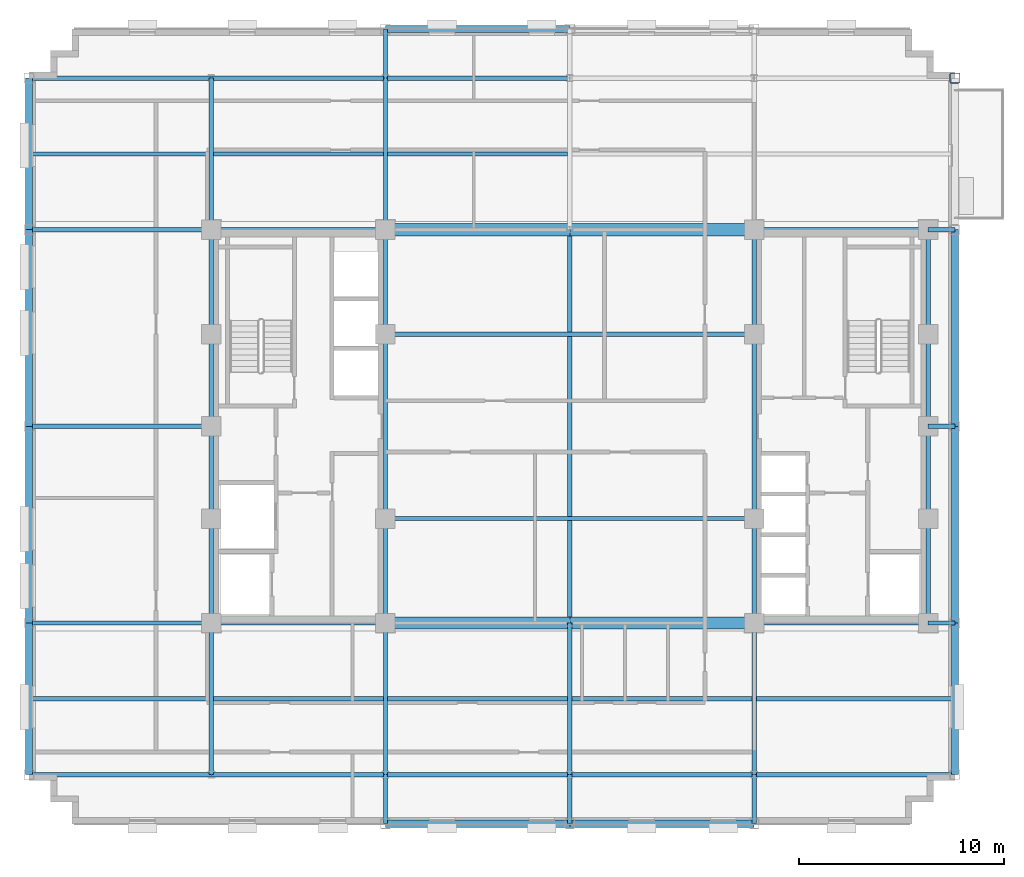
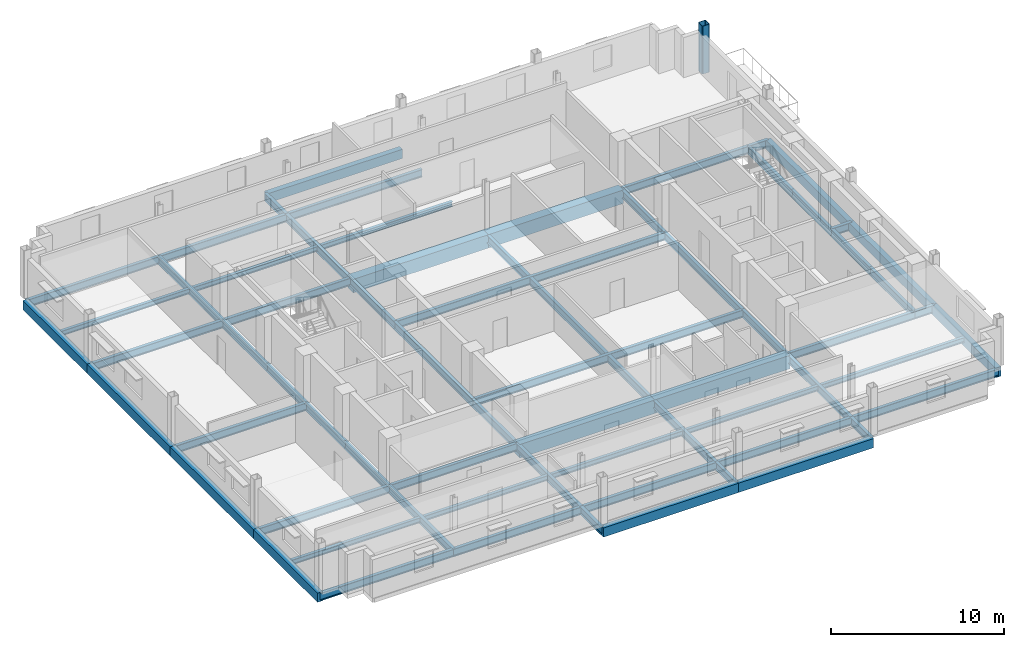
# One storey, part 4 of 13: 67 beams, 1 column.
"""IFC4 building model written with IfcOpenShell, lengths in metres."""

import ifcopenshell
import ifcopenshell.guid

model = None  # the IFC model being written
_history = None  # IfcOwnerHistory: only IFC2X3 demands one
_inside = {}  # id of a spatial element -> (the spatial element, [elements in it])
_under = {}  # id of a project, library or spatial element -> (it, [spatial elements below it])
_declared = {}  # id of a project -> (the project, [libraries it declares])
_typed = {}  # id of a type object -> (the type object, [elements of that type])
_made_of = {}  # id of a material, layer set ... -> (it, [elements and type objects made of it])


def new_model(schema):
    """Start an empty IFC model of exactly this schema.

    Asked for "IFC4X3", IfcOpenShell would pick the latest addendum, in which some entities
    have other attributes; the version numbers below select the first issue.
    IFC2X3 requires an IfcOwnerHistory on every rooted entity: one is made here for all.
    """
    global model, _history
    if schema == "IFC4X3":
        model = ifcopenshell.file(schema_version=(4, 3, 0, 0))
    else:
        model = ifcopenshell.file(schema=schema)
    _inside.clear()
    _under.clear()
    _declared.clear()
    _typed.clear()
    _made_of.clear()
    _history = None
    if model.schema == "IFC2X3":
        org = make("IfcOrganization", Name="unknown")
        user = make(
            "IfcPersonAndOrganization",
            ThePerson=make("IfcPerson", FamilyName="unknown"),
            TheOrganization=org,
        )
        app = make(
            "IfcApplication",
            ApplicationDeveloper=org,
            Version="unknown",
            ApplicationFullName="unknown",
            ApplicationIdentifier="unknown",
        )
        _history = make(
            "IfcOwnerHistory",
            OwningUser=user,
            OwningApplication=app,
            ChangeAction="ADDED",
            CreationDate=0,
        )
    return model


def make(cls, **values):
    """One entity of the class cls with the attributes given. An attribute that is None is left unset."""
    return model.create_entity(
        cls, **{name: value for name, value in values.items() if value is not None}
    )


def rooted(cls, **values):
    """An entity with a GlobalId (a new one), such as an element, a storey or a relation."""
    return make(cls, GlobalId=ifcopenshell.guid.new(), OwnerHistory=_history, **values)


def si_unit(unit_type, name, prefix=None):
    """IfcSIUnit, for example si_unit("LENGTHUNIT", "METRE", prefix="MILLI")."""
    return make("IfcSIUnit", UnitType=unit_type, Prefix=prefix, Name=name)


def assignment(units):
    """IfcUnitAssignment: the units of a project."""
    return None if units is None else make("IfcUnitAssignment", Units=units)


def point(xyz):
    """IfcCartesianPoint."""
    return None if xyz is None else make("IfcCartesianPoint", Coordinates=xyz)


def direction(xyz):
    """IfcDirection."""
    return None if xyz is None else make("IfcDirection", DirectionRatios=xyz)


def frame(location, z_axis=None, x_axis=None):
    """IfcAxis2Placement3D, a coordinate frame: its origin and axes. An axis left out is left unset."""
    return make(
        "IfcAxis2Placement3D",
        Location=point(location),
        Axis=direction(z_axis),
        RefDirection=direction(x_axis),
    )


def frame_2d(location, x_axis=None):
    """IfcAxis2Placement2D, a coordinate frame in the plane: its origin and x axis."""
    return make(
        "IfcAxis2Placement2D", Location=point(location), RefDirection=direction(x_axis)
    )


def origin():
    """The frame at (0, 0, 0) with its axes left unset."""
    return frame((0.0, 0.0, 0.0))


def origin_2d():
    """The frame at (0, 0) in the plane with its x axis left unset."""
    return frame_2d((0.0, 0.0))


def place(relative_to, where):
    """IfcLocalPlacement: puts the frame where relative to a parent placement (None: the world)."""
    return make(
        "IfcLocalPlacement", PlacementRelTo=relative_to, RelativePlacement=where
    )


def context(
    kind, dimensions, precision=None, world=None, true_north=None, identifier=None
):
    """IfcGeometricRepresentationContext, for example the 3D "Model" context."""
    return make(
        "IfcGeometricRepresentationContext",
        ContextIdentifier=identifier,
        ContextType=kind,
        CoordinateSpaceDimension=dimensions,
        Precision=precision,
        WorldCoordinateSystem=world,
        TrueNorth=true_north,
    )


def subcontext(parent, identifier, kind, view, scale=None):
    """IfcGeometricRepresentationSubContext, for example "Body" below "Model"."""
    return make(
        "IfcGeometricRepresentationSubContext",
        ContextIdentifier=identifier,
        ContextType=kind,
        ParentContext=parent,
        TargetScale=scale,
        TargetView=view,
    )


def project(units=None, contexts=None):
    """IfcProject with its units and contexts."""
    return rooted(
        "IfcProject",
        Name="project",
        RepresentationContexts=contexts,
        UnitsInContext=assignment(units),
    )


def spatial(cls, under=None, at=None, **own):
    """A site, building, storey or space (cls), placed at a placement, below another one or the project."""
    s = rooted(cls, ObjectPlacement=at, **own)
    if under is not None:
        _under.setdefault(under.id(), (under, []))[1].append(s)
    return s


def profile(cls, at=None, kind="AREA", **sizes):
    """A parametric profile (cls). Its sizes go by their IFC names, for example OverallWidth=200.0."""
    return make(cls, ProfileType=kind, Position=at, **sizes)


def rectangle(**sizes):
    """IfcRectangleProfileDef."""
    return profile("IfcRectangleProfileDef", **sizes)


def hollow_rectangle(**sizes):
    """IfcRectangleHollowProfileDef."""
    return profile("IfcRectangleHollowProfileDef", **sizes)


def i_section(**sizes):
    """IfcIShapeProfileDef."""
    return profile("IfcIShapeProfileDef", **sizes)


def extrude(swept, where, along, depth):
    """IfcExtrudedAreaSolid: the profile swept, set in the frame where, extruded along a direction by depth."""
    return make(
        "IfcExtrudedAreaSolid",
        SweptArea=swept,
        Position=where,
        ExtrudedDirection=direction(along),
        Depth=depth,
    )


def shape(context_of_items, identifier, shape_type, items):
    """IfcShapeRepresentation: the items that make up one representation, for example the "Body"."""
    return make(
        "IfcShapeRepresentation",
        ContextOfItems=context_of_items,
        RepresentationIdentifier=identifier,
        RepresentationType=shape_type,
        Items=items,
    )


def material(Name=None, Category=None):
    """IfcMaterial."""
    return make("IfcMaterial", Name=Name, Category=Category)


def material_profile(
    of_material, cross_section, Name=None, Category=None, Priority=None
):
    """IfcMaterialProfile: a cross section and its material."""
    return make(
        "IfcMaterialProfile",
        Name=Name,
        Material=of_material,
        Profile=cross_section,
        Priority=Priority,
        Category=Category,
    )


def profile_set(profiles, Name=None, composite=None):
    """IfcMaterialProfileSet."""
    return make(
        "IfcMaterialProfileSet",
        Name=Name,
        MaterialProfiles=profiles,
        CompositeProfile=composite,
    )


def made_of(thing, what):
    """Note that an element or type object is made of a material, layer set ...; save() writes the relation."""
    if what is not None:
        _made_of.setdefault(what.id(), (what, []))[1].append(thing)
    return thing


def type_object(cls, material=None, **own):
    """A type object (cls), such as IfcWallType, which elements share."""
    return made_of(rooted(cls, **own), material)


def element(
    cls,
    number,
    at=None,
    inside=None,
    cuts=None,
    type_object=None,
    material=None,
    context=None,
    identifier="Body",
    shape_type=None,
    held_by="IfcProductDefinitionShape",
    body=None,
    shapes=None,
    **own,
):
    """One element of the class cls, such as IfcWall. Its Tag is "e" and its number.

    at: its placement. inside: the storey or other place that contains it. cuts: it is an
    opening in that element (IfcRelVoidsElement). A single representation is given by context,
    identifier, shape_type and body (its items); several are given by shapes. held_by: the class
    of the entity that holds the representations. save() writes the other relations.
    """
    e = rooted(cls, Tag="e%d" % number, ObjectPlacement=at, **own)
    if body is not None:
        shapes = [shape(context, identifier, shape_type, body)]
    if shapes is not None:
        e.Representation = make(held_by, Representations=shapes)
    if inside is not None:
        _inside.setdefault(inside.id(), (inside, []))[1].append(e)
    if cuts is not None:
        rooted(
            "IfcRelVoidsElement", RelatingBuildingElement=cuts, RelatedOpeningElement=e
        )
    if type_object is not None:
        _typed.setdefault(type_object.id(), (type_object, []))[1].append(e)
    return made_of(e, material)


def aggregate(whole, parts):
    """IfcRelAggregates: a whole, such as a stair, and the parts it consists of."""
    return rooted("IfcRelAggregates", RelatingObject=whole, RelatedObjects=parts)


def save(model, path):
    """Write the relations noted so far, then the file.

    IfcRelAggregates (storeys below a building ...), IfcRelContainedInSpatialStructure (elements
    in a storey), IfcRelDefinesByType, IfcRelAssociatesMaterial and IfcRelDeclares: one each for
    every whole, place, type object, material and project.
    """
    for whole, parts in _under.values():
        aggregate(whole, parts)
    for where, things in _inside.values():
        rooted(
            "IfcRelContainedInSpatialStructure",
            RelatedElements=things,
            RelatingStructure=where,
        )
    for kind, things in _typed.values():
        rooted("IfcRelDefinesByType", RelatedObjects=things, RelatingType=kind)
    for what, things in _made_of.values():
        rooted("IfcRelAssociatesMaterial", RelatedObjects=things, RelatingMaterial=what)
    for by, libraries in _declared.values():
        rooted("IfcRelDeclares", RelatingContext=by, RelatedDefinitions=libraries)
    model.write(path)


model = new_model("IFC4")

# Units and contexts
model_context = context("Model", 3, precision=1e-05, world=origin(), true_north=direction((0.0, 1.0)))
body_context = subcontext(model_context, "Body", "Model", "MODEL_VIEW")
ifc_project = project(units=[si_unit("LENGTHUNIT", "METRE"), si_unit("AREAUNIT", "SQUARE_METRE"), si_unit("VOLUMEUNIT", "CUBIC_METRE"), si_unit("PLANEANGLEUNIT", "RADIAN"), si_unit("MASSUNIT", "GRAM", prefix="KILO")], contexts=[model_context])

# Site, building, storey
site_placement = place(None, origin())
site = spatial("IfcSite", under=ifc_project, at=site_placement, CompositionType="ELEMENT")
building_placement = place(site_placement, origin())
building = spatial("IfcBuilding", under=site, at=building_placement, Name="Nuvemarco Arch Tower", CompositionType="ELEMENT")
storey_placement = place(building_placement, frame((0.0, 0.0, 216.449951171875)))
storey = spatial("IfcBuildingStorey", under=building, at=storey_placement, Name="L57", CompositionType="ELEMENT", Elevation=216.449951171875)

# Column
ifc_material_1 = material(Name="Steel S355", Category="steel")
ifc_material_profile_1 = material_profile(ifc_material_1, hollow_rectangle(XDim=0.5, YDim=0.5, WallThickness=0.031982421875, InnerFilletRadius=0.031982421875, OuterFilletRadius=0.06396484375, at=origin_2d()), Name="SHS500x500x32")
ifc_profile_set_1 = profile_set([ifc_material_profile_1], Name="Steel S355")
column_type = type_object("IfcColumnType", Name="COL-EXO-500", PredefinedType="COLUMN", material=ifc_profile_set_1)
column_placement = place(storey_placement, frame((18.800048828125, 17.0, 0.0), z_axis=(0.0, 0.0, 1.0), x_axis=(1.0, 0.0, 0.0)))
element("IfcColumn", 1, at=column_placement, inside=storey, type_object=column_type, Name="L57 column CX_+18.8_+17.0", PredefinedType="COLUMN", context=body_context, shape_type="SweptSolid", body=[
    extrude(hollow_rectangle(XDim=0.5, YDim=0.5, WallThickness=0.031982421875, InnerFilletRadius=0.031982421875, OuterFilletRadius=0.06396484375, at=origin_2d()), origin(), (0.0, 0.0, 1.0), 3.3701171875),
])

# Beams
ifc_material_2 = material(Name="Concrete C60/75", Category="concrete")
ifc_material_profile_2 = material_profile(ifc_material_2, rectangle(XDim=0.60009765625, YDim=0.949951171875, at=origin_2d()), Name="RC-BM-600x950")
ifc_profile_set_2 = profile_set([ifc_material_profile_2], Name="Concrete C60/75")
beam_type_1 = type_object("IfcBeamType", Name="BM-COUP-RC", PredefinedType="LINTEL", material=ifc_profile_set_2)
for number, where, z_axis, x_axis, name in (
    (2, (-9.0, -9.60009765625, -0.7548828125), (1.0, 0.0, 0.0), (0.0, 1.0, 0.0), "L57 structural beam BGEW_L57_0_-9.6_-9.0"),
    (3, (0.0, -9.60009765625, -0.7548828125), (1.0, 0.0, 0.0), (0.0, 1.0, 0.0), "L57 structural beam BGEW_L57_0_-9.6_+0.0"),
    (4, (-9.0, 9.60009765625, -0.7548828125), (1.0, 0.0, 0.0), (0.0, 1.0, 0.0), "L57 structural beam BGEW_L57_0_+9.6_-9.0"),
    (5, (0.0, 9.60009765625, -0.7548828125), (1.0, 0.0, 0.0), (0.0, 1.0, 0.0), "L57 structural beam BGEW_L57_0_+9.6_+0.0"),
):
    element("IfcBeam", number, at=place(storey_placement, frame(where, z_axis=z_axis, x_axis=x_axis)), inside=storey, type_object=beam_type_1, Name=name, PredefinedType="LINTEL", context=body_context, shape_type="SweptSolid", body=[
        extrude(rectangle(XDim=0.60009765625, YDim=0.949951171875, at=origin_2d()), origin(), (0.0, 0.0, 1.0), 9.0),
    ])
ifc_material_profile_3 = material_profile(ifc_material_1, i_section(OverallWidth=0.2109375, OverallDepth=0.5390625, WebThickness=0.01171875, FlangeThickness=0.018798828125, FilletRadius=0.01611328125, at=origin_2d()), Name="W530x109")
ifc_profile_set_3 = profile_set([ifc_material_profile_3], Name="Steel S355")
beam_type_2 = type_object("IfcBeamType", Name="BM-GIRD-530", PredefinedType="BEAM", material=ifc_profile_set_3)
beam_1_placement = place(storey_placement, frame((-17.5, -17.0, -0.549560546875), z_axis=(0.0, 1.0, 0.0), x_axis=(-1.0, 0.0, 0.0)))
element("IfcBeam", 6, at=beam_1_placement, inside=storey, type_object=beam_type_2, Name="L57 structural beam BGNS_L57_0_-17.5_-17.0", PredefinedType="BEAM", context=body_context, shape_type="SweptSolid", body=[
    extrude(i_section(OverallWidth=0.2109375, OverallDepth=0.5390625, WebThickness=0.01171875, FlangeThickness=0.018798828125, FilletRadius=0.01611328125, at=origin_2d()), origin(), (0.0, 0.0, 1.0), 7.39990234375),
])
beam_2_placement = place(storey_placement, frame((-17.5, -9.60009765625, -0.549560546875), z_axis=(0.0, 1.0, 0.0), x_axis=(-1.0, 0.0, 0.0)))
element("IfcBeam", 7, at=beam_2_placement, inside=storey, type_object=beam_type_2, Name="L57 structural beam BGNS_L57_0_-17.5_-9.6", PredefinedType="BEAM", context=body_context, shape_type="SweptSolid", body=[
    extrude(i_section(OverallWidth=0.2109375, OverallDepth=0.5390625, WebThickness=0.01171875, FlangeThickness=0.018798828125, FilletRadius=0.01611328125, at=origin_2d()), origin(), (0.0, 0.0, 1.0), 5.10009765625),
])
for number, where, z_axis, x_axis, name in (
    (8, (-17.5, -4.5, -0.549560546875), (0.0, 1.0, 0.0), (-1.0, 0.0, 0.0), "L57 structural beam BGNS_L57_0_-17.5_-4.5"),
    (9, (-17.5, 0.0, -0.549560546875), (0.0, 1.0, 0.0), (-1.0, 0.0, 0.0), "L57 structural beam BGNS_L57_0_-17.5_+0.0"),
):
    element("IfcBeam", number, at=place(storey_placement, frame(where, z_axis=z_axis, x_axis=x_axis)), inside=storey, type_object=beam_type_2, Name=name, PredefinedType="BEAM", context=body_context, shape_type="SweptSolid", body=[
        extrude(i_section(OverallWidth=0.2109375, OverallDepth=0.5390625, WebThickness=0.01171875, FlangeThickness=0.018798828125, FilletRadius=0.01611328125, at=origin_2d()), origin(), (0.0, 0.0, 1.0), 4.5),
    ])
beam_3_placement = place(storey_placement, frame((-17.5, 4.5, -0.549560546875), z_axis=(0.0, 1.0, 0.0), x_axis=(-1.0, 0.0, 0.0)))
element("IfcBeam", 10, at=beam_3_placement, inside=storey, type_object=beam_type_2, Name="L57 structural beam BGNS_L57_0_-17.5_+4.5", PredefinedType="BEAM", context=body_context, shape_type="SweptSolid", body=[
    extrude(i_section(OverallWidth=0.2109375, OverallDepth=0.5390625, WebThickness=0.01171875, FlangeThickness=0.018798828125, FilletRadius=0.01611328125, at=origin_2d()), origin(), (0.0, 0.0, 1.0), 5.10009765625),
])
beam_4_placement = place(storey_placement, frame((-17.5, 9.60009765625, -0.549560546875), z_axis=(0.0, 1.0, 0.0), x_axis=(-1.0, 0.0, 0.0)))
element("IfcBeam", 11, at=beam_4_placement, inside=storey, type_object=beam_type_2, Name="L57 structural beam BGNS_L57_0_-17.5_+9.6", PredefinedType="BEAM", context=body_context, shape_type="SweptSolid", body=[
    extrude(i_section(OverallWidth=0.2109375, OverallDepth=0.5390625, WebThickness=0.01171875, FlangeThickness=0.018798828125, FilletRadius=0.01611328125, at=origin_2d()), origin(), (0.0, 0.0, 1.0), 7.39990234375),
])
beam_5_placement = place(storey_placement, frame((-9.0, -19.39990234375, -0.549560546875), z_axis=(0.0, 1.0, 0.0), x_axis=(-1.0, 0.0, 0.0)))
element("IfcBeam", 12, at=beam_5_placement, inside=storey, type_object=beam_type_2, Name="L57 structural beam BGNS_L57_0_-9.0_-19.4", PredefinedType="BEAM", context=body_context, shape_type="SweptSolid", body=[
    extrude(i_section(OverallWidth=0.2109375, OverallDepth=0.5390625, WebThickness=0.01171875, FlangeThickness=0.018798828125, FilletRadius=0.01611328125, at=origin_2d()), origin(), (0.0, 0.0, 1.0), 2.39990234375),
])
beam_6_placement = place(storey_placement, frame((-9.0, -17.0, -0.549560546875), z_axis=(0.0, 1.0, 0.0), x_axis=(-1.0, 0.0, 0.0)))
element("IfcBeam", 13, at=beam_6_placement, inside=storey, type_object=beam_type_2, Name="L57 structural beam BGNS_L57_0_-9.0_-17.0", PredefinedType="BEAM", context=body_context, shape_type="SweptSolid", body=[
    extrude(i_section(OverallWidth=0.2109375, OverallDepth=0.5390625, WebThickness=0.01171875, FlangeThickness=0.018798828125, FilletRadius=0.01611328125, at=origin_2d()), origin(), (0.0, 0.0, 1.0), 7.39990234375),
])
beam_7_placement = place(storey_placement, frame((-9.0, -9.60009765625, -0.549560546875), z_axis=(0.0, 1.0, 0.0), x_axis=(-1.0, 0.0, 0.0)))
element("IfcBeam", 14, at=beam_7_placement, inside=storey, type_object=beam_type_2, Name="L57 structural beam BGNS_L57_0_-9.0_-9.6", PredefinedType="BEAM", context=body_context, shape_type="SweptSolid", body=[
    extrude(i_section(OverallWidth=0.2109375, OverallDepth=0.5390625, WebThickness=0.01171875, FlangeThickness=0.018798828125, FilletRadius=0.01611328125, at=origin_2d()), origin(), (0.0, 0.0, 1.0), 5.10009765625),
])
beam_8_placement = place(storey_placement, frame((-9.0, -4.5, -0.549560546875), z_axis=(0.0, 1.0, 0.0), x_axis=(-1.0, 0.0, 0.0)))
element("IfcBeam", 15, at=beam_8_placement, inside=storey, type_object=beam_type_2, Name="L57 structural beam BGNS_L57_0_-9.0_-4.5", PredefinedType="BEAM", context=body_context, shape_type="SweptSolid", body=[
    extrude(i_section(OverallWidth=0.2109375, OverallDepth=0.5390625, WebThickness=0.01171875, FlangeThickness=0.018798828125, FilletRadius=0.01611328125, at=origin_2d()), origin(), (0.0, 0.0, 1.0), 9.0),
])
beam_9_placement = place(storey_placement, frame((-9.0, 4.5, -0.549560546875), z_axis=(0.0, 1.0, 0.0), x_axis=(-1.0, 0.0, 0.0)))
element("IfcBeam", 16, at=beam_9_placement, inside=storey, type_object=beam_type_2, Name="L57 structural beam BGNS_L57_0_-9.0_+4.5", PredefinedType="BEAM", context=body_context, shape_type="SweptSolid", body=[
    extrude(i_section(OverallWidth=0.2109375, OverallDepth=0.5390625, WebThickness=0.01171875, FlangeThickness=0.018798828125, FilletRadius=0.01611328125, at=origin_2d()), origin(), (0.0, 0.0, 1.0), 5.10009765625),
])
beam_10_placement = place(storey_placement, frame((-9.0, 9.60009765625, -0.549560546875), z_axis=(0.0, 1.0, 0.0), x_axis=(-1.0, 0.0, 0.0)))
element("IfcBeam", 17, at=beam_10_placement, inside=storey, type_object=beam_type_2, Name="L57 structural beam BGNS_L57_0_-9.0_+9.6", PredefinedType="BEAM", context=body_context, shape_type="SweptSolid", body=[
    extrude(i_section(OverallWidth=0.2109375, OverallDepth=0.5390625, WebThickness=0.01171875, FlangeThickness=0.018798828125, FilletRadius=0.01611328125, at=origin_2d()), origin(), (0.0, 0.0, 1.0), 7.39990234375),
])
for number, where, z_axis, x_axis, name in (
    (18, (-9.0, 17.0, -0.549560546875), (0.0, 1.0, 0.0), (-1.0, 0.0, 0.0), "L57 structural beam BGNS_L57_0_-9.0_+17.0"),
    (19, (0.0, -19.39990234375, -0.549560546875), (0.0, 1.0, 0.0), (-1.0, 0.0, 0.0), "L57 structural beam BGNS_L57_0_+0.0_-19.4"),
):
    element("IfcBeam", number, at=place(storey_placement, frame(where, z_axis=z_axis, x_axis=x_axis)), inside=storey, type_object=beam_type_2, Name=name, PredefinedType="BEAM", context=body_context, shape_type="SweptSolid", body=[
        extrude(i_section(OverallWidth=0.2109375, OverallDepth=0.5390625, WebThickness=0.01171875, FlangeThickness=0.018798828125, FilletRadius=0.01611328125, at=origin_2d()), origin(), (0.0, 0.0, 1.0), 2.39990234375),
    ])
beam_11_placement = place(storey_placement, frame((0.0, -17.0, -0.549560546875), z_axis=(0.0, 1.0, 0.0), x_axis=(-1.0, 0.0, 0.0)))
element("IfcBeam", 20, at=beam_11_placement, inside=storey, type_object=beam_type_2, Name="L57 structural beam BGNS_L57_0_+0.0_-17.0", PredefinedType="BEAM", context=body_context, shape_type="SweptSolid", body=[
    extrude(i_section(OverallWidth=0.2109375, OverallDepth=0.5390625, WebThickness=0.01171875, FlangeThickness=0.018798828125, FilletRadius=0.01611328125, at=origin_2d()), origin(), (0.0, 0.0, 1.0), 7.39990234375),
])
beam_12_placement = place(storey_placement, frame((0.0, -9.60009765625, -0.549560546875), z_axis=(0.0, 1.0, 0.0), x_axis=(-1.0, 0.0, 0.0)))
element("IfcBeam", 21, at=beam_12_placement, inside=storey, type_object=beam_type_2, Name="L57 structural beam BGNS_L57_0_+0.0_-9.6", PredefinedType="BEAM", context=body_context, shape_type="SweptSolid", body=[
    extrude(i_section(OverallWidth=0.2109375, OverallDepth=0.5390625, WebThickness=0.01171875, FlangeThickness=0.018798828125, FilletRadius=0.01611328125, at=origin_2d()), origin(), (0.0, 0.0, 1.0), 19.2001953125),
])
beam_13_placement = place(storey_placement, frame((9.0, -19.39990234375, -0.549560546875), z_axis=(0.0, 1.0, 0.0), x_axis=(-1.0, 0.0, 0.0)))
element("IfcBeam", 22, at=beam_13_placement, inside=storey, type_object=beam_type_2, Name="L57 structural beam BGNS_L57_0_+9.0_-19.4", PredefinedType="BEAM", context=body_context, shape_type="SweptSolid", body=[
    extrude(i_section(OverallWidth=0.2109375, OverallDepth=0.5390625, WebThickness=0.01171875, FlangeThickness=0.018798828125, FilletRadius=0.01611328125, at=origin_2d()), origin(), (0.0, 0.0, 1.0), 2.39990234375),
])
beam_14_placement = place(storey_placement, frame((9.0, -17.0, -0.549560546875), z_axis=(0.0, 1.0, 0.0), x_axis=(-1.0, 0.0, 0.0)))
element("IfcBeam", 23, at=beam_14_placement, inside=storey, type_object=beam_type_2, Name="L57 structural beam BGNS_L57_0_+9.0_-17.0", PredefinedType="BEAM", context=body_context, shape_type="SweptSolid", body=[
    extrude(i_section(OverallWidth=0.2109375, OverallDepth=0.5390625, WebThickness=0.01171875, FlangeThickness=0.018798828125, FilletRadius=0.01611328125, at=origin_2d()), origin(), (0.0, 0.0, 1.0), 7.39990234375),
])
beam_15_placement = place(storey_placement, frame((9.0, -9.60009765625, -0.549560546875), z_axis=(0.0, 1.0, 0.0), x_axis=(-1.0, 0.0, 0.0)))
element("IfcBeam", 24, at=beam_15_placement, inside=storey, type_object=beam_type_2, Name="L57 structural beam BGNS_L57_0_+9.0_-9.6", PredefinedType="BEAM", context=body_context, shape_type="SweptSolid", body=[
    extrude(i_section(OverallWidth=0.2109375, OverallDepth=0.5390625, WebThickness=0.01171875, FlangeThickness=0.018798828125, FilletRadius=0.01611328125, at=origin_2d()), origin(), (0.0, 0.0, 1.0), 5.10009765625),
])
beam_16_placement = place(storey_placement, frame((9.0, -4.5, -0.549560546875), z_axis=(0.0, 1.0, 0.0), x_axis=(-1.0, 0.0, 0.0)))
element("IfcBeam", 25, at=beam_16_placement, inside=storey, type_object=beam_type_2, Name="L57 structural beam BGNS_L57_0_+9.0_-4.5", PredefinedType="BEAM", context=body_context, shape_type="SweptSolid", body=[
    extrude(i_section(OverallWidth=0.2109375, OverallDepth=0.5390625, WebThickness=0.01171875, FlangeThickness=0.018798828125, FilletRadius=0.01611328125, at=origin_2d()), origin(), (0.0, 0.0, 1.0), 9.0),
])
for number, where, z_axis, x_axis, name in (
    (26, (9.0, 4.5, -0.549560546875), (0.0, 1.0, 0.0), (-1.0, 0.0, 0.0), "L57 structural beam BGNS_L57_0_+9.0_+4.5"),
    (27, (17.5, -9.60009765625, -0.549560546875), (0.0, 1.0, 0.0), (-1.0, 0.0, 0.0), "L57 structural beam BGNS_L57_0_+17.5_-9.6"),
):
    element("IfcBeam", number, at=place(storey_placement, frame(where, z_axis=z_axis, x_axis=x_axis)), inside=storey, type_object=beam_type_2, Name=name, PredefinedType="BEAM", context=body_context, shape_type="SweptSolid", body=[
        extrude(i_section(OverallWidth=0.2109375, OverallDepth=0.5390625, WebThickness=0.01171875, FlangeThickness=0.018798828125, FilletRadius=0.01611328125, at=origin_2d()), origin(), (0.0, 0.0, 1.0), 5.10009765625),
    ])
for number, where, z_axis, x_axis, name in (
    (28, (17.5, -4.5, -0.549560546875), (0.0, 1.0, 0.0), (-1.0, 0.0, 0.0), "L57 structural beam BGNS_L57_0_+17.5_-4.5"),
    (29, (17.5, 0.0, -0.549560546875), (0.0, 1.0, 0.0), (-1.0, 0.0, 0.0), "L57 structural beam BGNS_L57_0_+17.5_+0.0"),
):
    element("IfcBeam", number, at=place(storey_placement, frame(where, z_axis=z_axis, x_axis=x_axis)), inside=storey, type_object=beam_type_2, Name=name, PredefinedType="BEAM", context=body_context, shape_type="SweptSolid", body=[
        extrude(i_section(OverallWidth=0.2109375, OverallDepth=0.5390625, WebThickness=0.01171875, FlangeThickness=0.018798828125, FilletRadius=0.01611328125, at=origin_2d()), origin(), (0.0, 0.0, 1.0), 4.5),
    ])
beam_17_placement = place(storey_placement, frame((17.5, 4.5, -0.549560546875), z_axis=(0.0, 1.0, 0.0), x_axis=(-1.0, 0.0, 0.0)))
element("IfcBeam", 30, at=beam_17_placement, inside=storey, type_object=beam_type_2, Name="L57 structural beam BGNS_L57_0_+17.5_+4.5", PredefinedType="BEAM", context=body_context, shape_type="SweptSolid", body=[
    extrude(i_section(OverallWidth=0.2109375, OverallDepth=0.5390625, WebThickness=0.01171875, FlangeThickness=0.018798828125, FilletRadius=0.01611328125, at=origin_2d()), origin(), (0.0, 0.0, 1.0), 5.10009765625),
])
beam_18_placement = place(storey_placement, frame((-26.39990234375, -17.0, -0.549560546875), z_axis=(1.0, 0.0, 0.0), x_axis=(0.0, 1.0, 0.0)))
element("IfcBeam", 31, at=beam_18_placement, inside=storey, type_object=beam_type_2, Name="L57 structural beam BGEW_L57_0_-17.0_-26.4", PredefinedType="BEAM", context=body_context, shape_type="SweptSolid", body=[
    extrude(i_section(OverallWidth=0.2109375, OverallDepth=0.5390625, WebThickness=0.01171875, FlangeThickness=0.018798828125, FilletRadius=0.01611328125, at=origin_2d()), origin(), (0.0, 0.0, 1.0), 8.89990234375),
])
beam_19_placement = place(storey_placement, frame((-17.5, -17.0, -0.549560546875), z_axis=(1.0, 0.0, 0.0), x_axis=(0.0, 1.0, 0.0)))
element("IfcBeam", 32, at=beam_19_placement, inside=storey, type_object=beam_type_2, Name="L57 structural beam BGEW_L57_0_-17.0_-17.5", PredefinedType="BEAM", context=body_context, shape_type="SweptSolid", body=[
    extrude(i_section(OverallWidth=0.2109375, OverallDepth=0.5390625, WebThickness=0.01171875, FlangeThickness=0.018798828125, FilletRadius=0.01611328125, at=origin_2d()), origin(), (0.0, 0.0, 1.0), 8.5),
])
for number, where, z_axis, x_axis, name in (
    (33, (-9.0, -17.0, -0.549560546875), (1.0, 0.0, 0.0), (0.0, 1.0, 0.0), "L57 structural beam BGEW_L57_0_-17.0_-9.0"),
    (34, (0.0, -17.0, -0.549560546875), (1.0, 0.0, 0.0), (0.0, 1.0, 0.0), "L57 structural beam BGEW_L57_0_-17.0_+0.0"),
):
    element("IfcBeam", number, at=place(storey_placement, frame(where, z_axis=z_axis, x_axis=x_axis)), inside=storey, type_object=beam_type_2, Name=name, PredefinedType="BEAM", context=body_context, shape_type="SweptSolid", body=[
        extrude(i_section(OverallWidth=0.2109375, OverallDepth=0.5390625, WebThickness=0.01171875, FlangeThickness=0.018798828125, FilletRadius=0.01611328125, at=origin_2d()), origin(), (0.0, 0.0, 1.0), 9.0),
    ])
beam_20_placement = place(storey_placement, frame((9.0, -17.0, -0.549560546875), z_axis=(1.0, 0.0, 0.0), x_axis=(0.0, 1.0, 0.0)))
element("IfcBeam", 35, at=beam_20_placement, inside=storey, type_object=beam_type_2, Name="L57 structural beam BGEW_L57_0_-17.0_+9.0", PredefinedType="BEAM", context=body_context, shape_type="SweptSolid", body=[
    extrude(i_section(OverallWidth=0.2109375, OverallDepth=0.5390625, WebThickness=0.01171875, FlangeThickness=0.018798828125, FilletRadius=0.01611328125, at=origin_2d()), origin(), (0.0, 0.0, 1.0), 9.800048828125),
])
beam_21_placement = place(storey_placement, frame((-26.39990234375, -9.60009765625, -0.549560546875), z_axis=(1.0, 0.0, 0.0), x_axis=(0.0, 1.0, 0.0)))
element("IfcBeam", 36, at=beam_21_placement, inside=storey, type_object=beam_type_2, Name="L57 structural beam BGEW_L57_0_-9.6_-26.4", PredefinedType="BEAM", context=body_context, shape_type="SweptSolid", body=[
    extrude(i_section(OverallWidth=0.2109375, OverallDepth=0.5390625, WebThickness=0.01171875, FlangeThickness=0.018798828125, FilletRadius=0.01611328125, at=origin_2d()), origin(), (0.0, 0.0, 1.0), 8.89990234375),
])
for number, where, z_axis, x_axis, name in (
    (37, (-17.5, -9.60009765625, -0.549560546875), (1.0, 0.0, 0.0), (0.0, 1.0, 0.0), "L57 structural beam BGEW_L57_0_-9.6_-17.5"),
    (38, (9.0, -9.60009765625, -0.549560546875), (1.0, 0.0, 0.0), (0.0, 1.0, 0.0), "L57 structural beam BGEW_L57_0_-9.6_+9.0"),
):
    element("IfcBeam", number, at=place(storey_placement, frame(where, z_axis=z_axis, x_axis=x_axis)), inside=storey, type_object=beam_type_2, Name=name, PredefinedType="BEAM", context=body_context, shape_type="SweptSolid", body=[
        extrude(i_section(OverallWidth=0.2109375, OverallDepth=0.5390625, WebThickness=0.01171875, FlangeThickness=0.018798828125, FilletRadius=0.01611328125, at=origin_2d()), origin(), (0.0, 0.0, 1.0), 8.5),
    ])
beam_22_placement = place(storey_placement, frame((17.5, -9.60009765625, -0.549560546875), z_axis=(1.0, 0.0, 0.0), x_axis=(0.0, 1.0, 0.0)))
element("IfcBeam", 39, at=beam_22_placement, inside=storey, type_object=beam_type_2, Name="L57 structural beam BGEW_L57_0_-9.6_+17.5", PredefinedType="BEAM", context=body_context, shape_type="SweptSolid", body=[
    extrude(i_section(OverallWidth=0.2109375, OverallDepth=0.5390625, WebThickness=0.01171875, FlangeThickness=0.018798828125, FilletRadius=0.01611328125, at=origin_2d()), origin(), (0.0, 0.0, 1.0), 1.300048828125),
])
beam_23_placement = place(storey_placement, frame((-9.0, -4.5, -0.549560546875), z_axis=(1.0, 0.0, 0.0), x_axis=(0.0, 1.0, 0.0)))
element("IfcBeam", 40, at=beam_23_placement, inside=storey, type_object=beam_type_2, Name="L57 structural beam BGEW_L57_0_-4.5_-9.0", PredefinedType="BEAM", context=body_context, shape_type="SweptSolid", body=[
    extrude(i_section(OverallWidth=0.2109375, OverallDepth=0.5390625, WebThickness=0.01171875, FlangeThickness=0.018798828125, FilletRadius=0.01611328125, at=origin_2d()), origin(), (0.0, 0.0, 1.0), 18.0),
])
beam_24_placement = place(storey_placement, frame((-26.39990234375, 0.0, -0.549560546875), z_axis=(1.0, 0.0, 0.0), x_axis=(0.0, 1.0, 0.0)))
element("IfcBeam", 41, at=beam_24_placement, inside=storey, type_object=beam_type_2, Name="L57 structural beam BGEW_L57_0_+0.0_-26.4", PredefinedType="BEAM", context=body_context, shape_type="SweptSolid", body=[
    extrude(i_section(OverallWidth=0.2109375, OverallDepth=0.5390625, WebThickness=0.01171875, FlangeThickness=0.018798828125, FilletRadius=0.01611328125, at=origin_2d()), origin(), (0.0, 0.0, 1.0), 8.89990234375),
])
beam_25_placement = place(storey_placement, frame((17.5, 0.0, -0.549560546875), z_axis=(1.0, 0.0, 0.0), x_axis=(0.0, 1.0, 0.0)))
element("IfcBeam", 42, at=beam_25_placement, inside=storey, type_object=beam_type_2, Name="L57 structural beam BGEW_L57_0_+0.0_+17.5", PredefinedType="BEAM", context=body_context, shape_type="SweptSolid", body=[
    extrude(i_section(OverallWidth=0.2109375, OverallDepth=0.5390625, WebThickness=0.01171875, FlangeThickness=0.018798828125, FilletRadius=0.01611328125, at=origin_2d()), origin(), (0.0, 0.0, 1.0), 1.300048828125),
])
beam_26_placement = place(storey_placement, frame((-9.0, 4.5, -0.549560546875), z_axis=(1.0, 0.0, 0.0), x_axis=(0.0, 1.0, 0.0)))
element("IfcBeam", 43, at=beam_26_placement, inside=storey, type_object=beam_type_2, Name="L57 structural beam BGEW_L57_0_+4.5_-9.0", PredefinedType="BEAM", context=body_context, shape_type="SweptSolid", body=[
    extrude(i_section(OverallWidth=0.2109375, OverallDepth=0.5390625, WebThickness=0.01171875, FlangeThickness=0.018798828125, FilletRadius=0.01611328125, at=origin_2d()), origin(), (0.0, 0.0, 1.0), 18.0),
])
beam_27_placement = place(storey_placement, frame((-26.39990234375, 9.60009765625, -0.549560546875), z_axis=(1.0, 0.0, 0.0), x_axis=(0.0, 1.0, 0.0)))
element("IfcBeam", 44, at=beam_27_placement, inside=storey, type_object=beam_type_2, Name="L57 structural beam BGEW_L57_0_+9.6_-26.4", PredefinedType="BEAM", context=body_context, shape_type="SweptSolid", body=[
    extrude(i_section(OverallWidth=0.2109375, OverallDepth=0.5390625, WebThickness=0.01171875, FlangeThickness=0.018798828125, FilletRadius=0.01611328125, at=origin_2d()), origin(), (0.0, 0.0, 1.0), 8.89990234375),
])
for number, where, z_axis, x_axis, name in (
    (45, (-17.5, 9.60009765625, -0.549560546875), (1.0, 0.0, 0.0), (0.0, 1.0, 0.0), "L57 structural beam BGEW_L57_0_+9.6_-17.5"),
    (46, (9.0, 9.60009765625, -0.549560546875), (1.0, 0.0, 0.0), (0.0, 1.0, 0.0), "L57 structural beam BGEW_L57_0_+9.6_+9.0"),
):
    element("IfcBeam", number, at=place(storey_placement, frame(where, z_axis=z_axis, x_axis=x_axis)), inside=storey, type_object=beam_type_2, Name=name, PredefinedType="BEAM", context=body_context, shape_type="SweptSolid", body=[
        extrude(i_section(OverallWidth=0.2109375, OverallDepth=0.5390625, WebThickness=0.01171875, FlangeThickness=0.018798828125, FilletRadius=0.01611328125, at=origin_2d()), origin(), (0.0, 0.0, 1.0), 8.5),
    ])
beam_28_placement = place(storey_placement, frame((17.5, 9.60009765625, -0.549560546875), z_axis=(1.0, 0.0, 0.0), x_axis=(0.0, 1.0, 0.0)))
element("IfcBeam", 47, at=beam_28_placement, inside=storey, type_object=beam_type_2, Name="L57 structural beam BGEW_L57_0_+9.6_+17.5", PredefinedType="BEAM", context=body_context, shape_type="SweptSolid", body=[
    extrude(i_section(OverallWidth=0.2109375, OverallDepth=0.5390625, WebThickness=0.01171875, FlangeThickness=0.018798828125, FilletRadius=0.01611328125, at=origin_2d()), origin(), (0.0, 0.0, 1.0), 1.300048828125),
])
beam_29_placement = place(storey_placement, frame((-26.39990234375, 17.0, -0.549560546875), z_axis=(1.0, 0.0, 0.0), x_axis=(0.0, 1.0, 0.0)))
element("IfcBeam", 48, at=beam_29_placement, inside=storey, type_object=beam_type_2, Name="L57 structural beam BGEW_L57_0_+17.0_-26.4", PredefinedType="BEAM", context=body_context, shape_type="SweptSolid", body=[
    extrude(i_section(OverallWidth=0.2109375, OverallDepth=0.5390625, WebThickness=0.01171875, FlangeThickness=0.018798828125, FilletRadius=0.01611328125, at=origin_2d()), origin(), (0.0, 0.0, 1.0), 8.89990234375),
])
beam_30_placement = place(storey_placement, frame((-17.5, 17.0, -0.549560546875), z_axis=(1.0, 0.0, 0.0), x_axis=(0.0, 1.0, 0.0)))
element("IfcBeam", 49, at=beam_30_placement, inside=storey, type_object=beam_type_2, Name="L57 structural beam BGEW_L57_0_+17.0_-17.5", PredefinedType="BEAM", context=body_context, shape_type="SweptSolid", body=[
    extrude(i_section(OverallWidth=0.2109375, OverallDepth=0.5390625, WebThickness=0.01171875, FlangeThickness=0.018798828125, FilletRadius=0.01611328125, at=origin_2d()), origin(), (0.0, 0.0, 1.0), 8.5),
])
beam_31_placement = place(storey_placement, frame((-9.0, 17.0, -0.549560546875), z_axis=(1.0, 0.0, 0.0), x_axis=(0.0, 1.0, 0.0)))
element("IfcBeam", 50, at=beam_31_placement, inside=storey, type_object=beam_type_2, Name="L57 structural beam BGEW_L57_0_+17.0_-9.0", PredefinedType="BEAM", context=body_context, shape_type="SweptSolid", body=[
    extrude(i_section(OverallWidth=0.2109375, OverallDepth=0.5390625, WebThickness=0.01171875, FlangeThickness=0.018798828125, FilletRadius=0.01611328125, at=origin_2d()), origin(), (0.0, 0.0, 1.0), 9.0),
])
ifc_material_profile_4 = material_profile(ifc_material_1, i_section(OverallWidth=0.202880859375, OverallDepth=0.346923828125, WebThickness=0.0078125, FlangeThickness=0.013427734375, FilletRadius=0.014892578125, at=origin_2d()), Name="W360x64")
ifc_profile_set_4 = profile_set([ifc_material_profile_4], Name="Steel S355")
beam_type_3 = type_object("IfcBeamType", Name="BM-JOIST-360", PredefinedType="JOIST", material=ifc_profile_set_4)
beam_32_placement = place(storey_placement, frame((-26.22509765625, -13.300048828125, -0.453369140625), z_axis=(1.0, 0.0, 0.0), x_axis=(0.0, 1.0, 0.0)))
element("IfcBeam", 51, at=beam_32_placement, inside=storey, type_object=beam_type_3, Name="L57 structural beam BJ_L57_0_-13.3_-26.4", PredefinedType="JOIST", context=body_context, shape_type="SweptSolid", body=[
    extrude(i_section(OverallWidth=0.202880859375, OverallDepth=0.346923828125, WebThickness=0.0078125, FlangeThickness=0.013427734375, FilletRadius=0.014892578125, at=origin_2d()), origin(), (0.0, 0.0, 1.0), 8.61962890625),
])
beam_33_placement = place(storey_placement, frame((-17.39453125, -13.300048828125, -0.453369140625), z_axis=(1.0, 0.0, 0.0), x_axis=(0.0, 1.0, 0.0)))
element("IfcBeam", 52, at=beam_33_placement, inside=storey, type_object=beam_type_3, Name="L57 structural beam BJ_L57_0_-13.3_-17.5", PredefinedType="JOIST", context=body_context, shape_type="SweptSolid", body=[
    extrude(i_section(OverallWidth=0.202880859375, OverallDepth=0.346923828125, WebThickness=0.0078125, FlangeThickness=0.013427734375, FilletRadius=0.014892578125, at=origin_2d()), origin(), (0.0, 0.0, 1.0), 8.2890625),
])
for number, where, z_axis, x_axis, name in (
    (53, (-8.89453125, -13.300048828125, -0.453369140625), (1.0, 0.0, 0.0), (0.0, 1.0, 0.0), "L57 structural beam BJ_L57_0_-13.3_-9.0"),
    (54, (0.10546875, -13.300048828125, -0.453369140625), (1.0, 0.0, 0.0), (0.0, 1.0, 0.0), "L57 structural beam BJ_L57_0_-13.3_+0.0"),
):
    element("IfcBeam", number, at=place(storey_placement, frame(where, z_axis=z_axis, x_axis=x_axis)), inside=storey, type_object=beam_type_3, Name=name, PredefinedType="JOIST", context=body_context, shape_type="SweptSolid", body=[
        extrude(i_section(OverallWidth=0.202880859375, OverallDepth=0.346923828125, WebThickness=0.0078125, FlangeThickness=0.013427734375, FilletRadius=0.014892578125, at=origin_2d()), origin(), (0.0, 0.0, 1.0), 8.7890625),
    ])
beam_34_placement = place(storey_placement, frame((9.10546875, -13.300048828125, -0.453369140625), z_axis=(1.0, 0.0, 0.0), x_axis=(0.0, 1.0, 0.0)))
element("IfcBeam", 55, at=beam_34_placement, inside=storey, type_object=beam_type_3, Name="L57 structural beam BJ_L57_0_-13.3_+9.0", PredefinedType="JOIST", context=body_context, shape_type="SweptSolid", body=[
    extrude(i_section(OverallWidth=0.202880859375, OverallDepth=0.346923828125, WebThickness=0.0078125, FlangeThickness=0.013427734375, FilletRadius=0.014892578125, at=origin_2d()), origin(), (0.0, 0.0, 1.0), 9.51953125),
])
beam_35_placement = place(storey_placement, frame((-26.22509765625, 13.300048828125, -0.453369140625), z_axis=(1.0, 0.0, 0.0), x_axis=(0.0, 1.0, 0.0)))
element("IfcBeam", 56, at=beam_35_placement, inside=storey, type_object=beam_type_3, Name="L57 structural beam BJ_L57_0_+13.3_-26.4", PredefinedType="JOIST", context=body_context, shape_type="SweptSolid", body=[
    extrude(i_section(OverallWidth=0.202880859375, OverallDepth=0.346923828125, WebThickness=0.0078125, FlangeThickness=0.013427734375, FilletRadius=0.014892578125, at=origin_2d()), origin(), (0.0, 0.0, 1.0), 8.61962890625),
])
beam_36_placement = place(storey_placement, frame((-17.39453125, 13.300048828125, -0.453369140625), z_axis=(1.0, 0.0, 0.0), x_axis=(0.0, 1.0, 0.0)))
element("IfcBeam", 57, at=beam_36_placement, inside=storey, type_object=beam_type_3, Name="L57 structural beam BJ_L57_0_+13.3_-17.5", PredefinedType="JOIST", context=body_context, shape_type="SweptSolid", body=[
    extrude(i_section(OverallWidth=0.202880859375, OverallDepth=0.346923828125, WebThickness=0.0078125, FlangeThickness=0.013427734375, FilletRadius=0.014892578125, at=origin_2d()), origin(), (0.0, 0.0, 1.0), 8.2890625),
])
beam_37_placement = place(storey_placement, frame((-8.89453125, 13.300048828125, -0.453369140625), z_axis=(1.0, 0.0, 0.0), x_axis=(0.0, 1.0, 0.0)))
element("IfcBeam", 58, at=beam_37_placement, inside=storey, type_object=beam_type_3, Name="L57 structural beam BJ_L57_0_+13.3_-9.0", PredefinedType="JOIST", context=body_context, shape_type="SweptSolid", body=[
    extrude(i_section(OverallWidth=0.202880859375, OverallDepth=0.346923828125, WebThickness=0.0078125, FlangeThickness=0.013427734375, FilletRadius=0.014892578125, at=origin_2d()), origin(), (0.0, 0.0, 1.0), 8.7890625),
])
ifc_material_3 = material(Name="Precast concrete C45/55", Category="concrete")
ifc_material_profile_5 = material_profile(ifc_material_3, rectangle(XDim=0.35009765625, YDim=0.64990234375, at=origin_2d()), Name="PC-SP-350x650")
ifc_profile_set_5 = profile_set([ifc_material_profile_5], Name="Precast concrete C45/55")
beam_type_4 = type_object("IfcBeamType", Name="BM-SPAN-RC", PredefinedType="SPANDREL", material=ifc_profile_set_5)
beam_38_placement = place(storey_placement, frame((-26.39990234375, -17.0, -0.60498046875), z_axis=(0.0, 1.0, 0.0), x_axis=(-1.0, 0.0, 0.0)))
element("IfcBeam", 59, at=beam_38_placement, inside=storey, type_object=beam_type_4, Name="L57 structural beam BGNS_L57_0_-26.4_-17.0", PredefinedType="SPANDREL", context=body_context, shape_type="SweptSolid", body=[
    extrude(rectangle(XDim=0.35009765625, YDim=0.64990234375, at=origin_2d()), origin(), (0.0, 0.0, 1.0), 7.39990234375),
])
for number, where, z_axis, x_axis, name in (
    (60, (-26.39990234375, -9.60009765625, -0.60498046875), (0.0, 1.0, 0.0), (-1.0, 0.0, 0.0), "L57 structural beam BGNS_L57_0_-26.4_-9.6"),
    (61, (-26.39990234375, 0.0, -0.60498046875), (0.0, 1.0, 0.0), (-1.0, 0.0, 0.0), "L57 structural beam BGNS_L57_0_-26.4_+0.0"),
):
    element("IfcBeam", number, at=place(storey_placement, frame(where, z_axis=z_axis, x_axis=x_axis)), inside=storey, type_object=beam_type_4, Name=name, PredefinedType="SPANDREL", context=body_context, shape_type="SweptSolid", body=[
        extrude(rectangle(XDim=0.35009765625, YDim=0.64990234375, at=origin_2d()), origin(), (0.0, 0.0, 1.0), 9.60009765625),
    ])
for number, where, z_axis, x_axis, name in (
    (62, (-26.39990234375, 9.60009765625, -0.60498046875), (0.0, 1.0, 0.0), (-1.0, 0.0, 0.0), "L57 structural beam BGNS_L57_0_-26.4_+9.6"),
    (63, (18.800048828125, -17.0, -0.60498046875), (0.0, 1.0, 0.0), (-1.0, 0.0, 0.0), "L57 structural beam BGNS_L57_0_+18.8_-17.0"),
):
    element("IfcBeam", number, at=place(storey_placement, frame(where, z_axis=z_axis, x_axis=x_axis)), inside=storey, type_object=beam_type_4, Name=name, PredefinedType="SPANDREL", context=body_context, shape_type="SweptSolid", body=[
        extrude(rectangle(XDim=0.35009765625, YDim=0.64990234375, at=origin_2d()), origin(), (0.0, 0.0, 1.0), 7.39990234375),
    ])
for number, where, z_axis, x_axis, name in (
    (64, (18.800048828125, -9.60009765625, -0.60498046875), (0.0, 1.0, 0.0), (-1.0, 0.0, 0.0), "L57 structural beam BGNS_L57_0_+18.8_-9.6"),
    (65, (18.800048828125, 0.0, -0.60498046875), (0.0, 1.0, 0.0), (-1.0, 0.0, 0.0), "L57 structural beam BGNS_L57_0_+18.8_+0.0"),
):
    element("IfcBeam", number, at=place(storey_placement, frame(where, z_axis=z_axis, x_axis=x_axis)), inside=storey, type_object=beam_type_4, Name=name, PredefinedType="SPANDREL", context=body_context, shape_type="SweptSolid", body=[
        extrude(rectangle(XDim=0.35009765625, YDim=0.64990234375, at=origin_2d()), origin(), (0.0, 0.0, 1.0), 9.60009765625),
    ])
for number, where, z_axis, x_axis, name in (
    (66, (-9.0, -19.39990234375, -0.60498046875), (1.0, 0.0, 0.0), (0.0, 1.0, 0.0), "L57 structural beam BGEW_L57_0_-19.4_-9.0"),
    (67, (0.0, -19.39990234375, -0.60498046875), (1.0, 0.0, 0.0), (0.0, 1.0, 0.0), "L57 structural beam BGEW_L57_0_-19.4_+0.0"),
    (68, (-9.0, 19.39990234375, -0.60498046875), (1.0, 0.0, 0.0), (0.0, 1.0, 0.0), "L57 structural beam BGEW_L57_0_+19.4_-9.0"),
):
    element("IfcBeam", number, at=place(storey_placement, frame(where, z_axis=z_axis, x_axis=x_axis)), inside=storey, type_object=beam_type_4, Name=name, PredefinedType="SPANDREL", context=body_context, shape_type="SweptSolid", body=[
        extrude(rectangle(XDim=0.35009765625, YDim=0.64990234375, at=origin_2d()), origin(), (0.0, 0.0, 1.0), 9.0),
    ])

save(model, "model.ifc")
